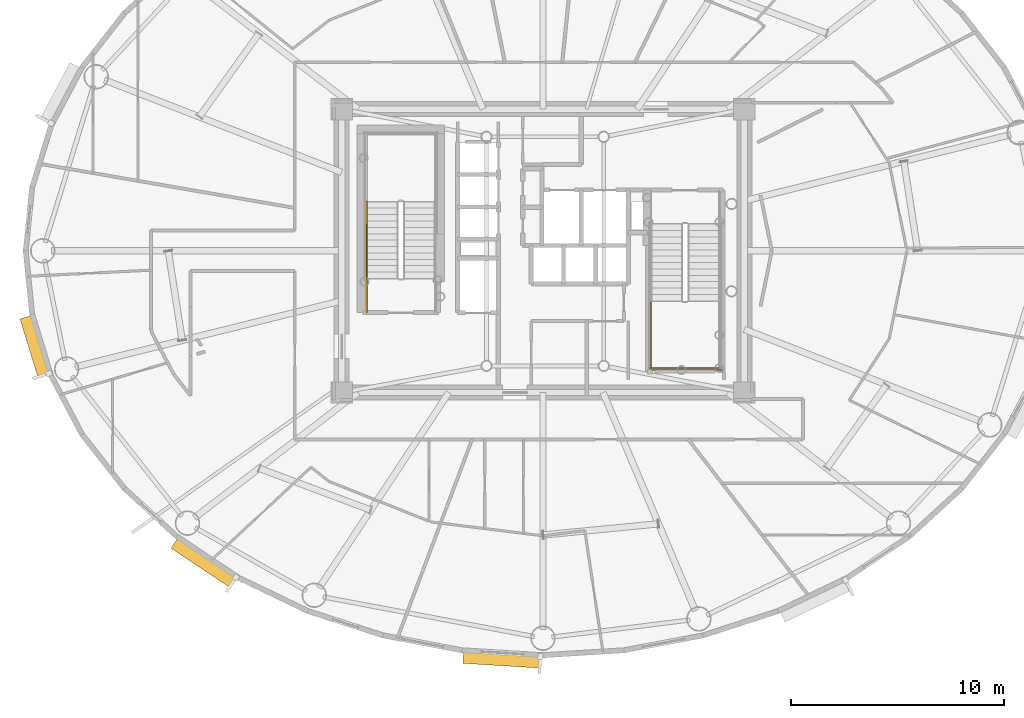
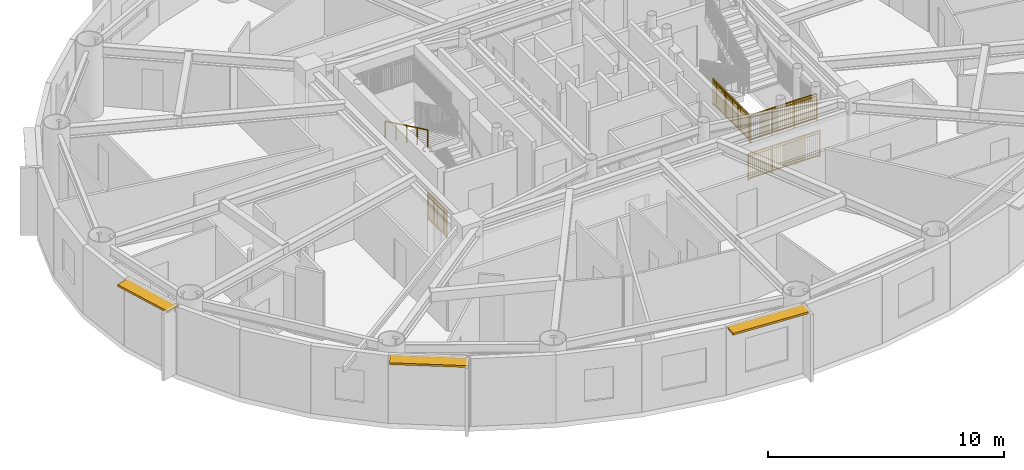
# One storey, part 15 of 21: 5 railings, 3 shading devices.
"""IFC4 building model written with IfcOpenShell, lengths in metres."""

from ifc_helpers import new_model, si_unit, direction, frame, origin, origin_2d, place, context, subcontext, project, spatial, rectangle, extrude, source, transform, mapped, material, layer, layer_set, type_object, element, save


model = new_model("IFC4")

# Units and contexts
model_context = context("Model", 3, precision=1e-05, world=origin(), true_north=direction((0.0, 1.0)))
body_context = subcontext(model_context, "Body", "Model", "MODEL_VIEW")
ifc_project = project(units=[si_unit("LENGTHUNIT", "METRE"), si_unit("AREAUNIT", "SQUARE_METRE"), si_unit("VOLUMEUNIT", "CUBIC_METRE"), si_unit("PLANEANGLEUNIT", "RADIAN"), si_unit("MASSUNIT", "GRAM", prefix="KILO")], contexts=[model_context])

# Site, building, storey
site_placement = place(None, origin())
site = spatial("IfcSite", under=ifc_project, at=site_placement, CompositionType="ELEMENT")
building_placement = place(site_placement, origin())
building = spatial("IfcBuilding", under=site, at=building_placement, Name="Linh Dai School and Residence Tower", CompositionType="ELEMENT")
storey_placement = place(building_placement, frame((0.0, 0.0, 229.050048828125)))
storey = spatial("IfcBuildingStorey", under=building, at=storey_placement, Name="L56", CompositionType="ELEMENT", Elevation=229.050048828125)

# Shading devices
ifc_material_1 = material(Name="Terracotta Ceramic Sunshade", Category="masonry")
ifc_layer = layer(ifc_material_1, 0.10009765625)
ifc_layer_set = layer_set([ifc_layer], Name="Terracotta Ceramic Sunshade")
shading_device_type = type_object("IfcShadingDeviceType", Name="SHD-TC-650", PredefinedType="USERDEFINED", material=ifc_layer_set)
shared_shape_1 = source(origin(), body_context, "Body", "SweptSolid", [
    extrude(rectangle(XDim=2.90380859375, YDim=0.64990234375, at=origin_2d()), origin(), (0.0, 0.0, 1.0), 0.10009765625),
])
shading_device_1_placement = place(storey_placement, frame((12.19384765625, 22.506591796875, 3.3798828125), z_axis=(0.0, 0.0, 1.0), x_axis=(-0.2931574026, 0.956064190994, 0.0)))
element("IfcShadingDevice", 1, at=shading_device_1_placement, inside=storey, type_object=shading_device_type, Name="L56 Terracotta Horizontal Sunshade Band 22", ObjectType="SUNSHADE", PredefinedType="USERDEFINED", context=body_context, shape_type="MappedRepresentation", body=[
    mapped(shared_shape_1, transform((0.0, 0.0, 0.0), x_axis=(1.0, 0.0, 0.0), y_axis=(0.0, 1.0, 0.0), z_axis=(0.0, 0.0, 1.0), scale=1.0)),
])
shared_shape_2 = source(origin(), body_context, "Body", "SweptSolid", [
    extrude(rectangle(XDim=3.3447265625, YDim=0.64990234375, at=origin_2d()), origin(), (0.0, 0.0, 1.0), 0.10009765625),
])
shading_device_2_placement = place(storey_placement, frame((20.11328125, 12.3837890625, 3.3798828125), z_axis=(0.0, 0.0, 1.0), x_axis=(-0.831257719597, 0.555887222025, 0.0)))
element("IfcShadingDevice", 2, at=shading_device_2_placement, inside=storey, type_object=shading_device_type, Name="L56 Terracotta Horizontal Sunshade Band 26", ObjectType="SUNSHADE", PredefinedType="USERDEFINED", context=body_context, shape_type="MappedRepresentation", body=[
    mapped(shared_shape_2, transform((0.0, 0.0, 0.0), x_axis=(1.0, 0.0, 0.0), y_axis=(0.0, 1.0, 0.0), z_axis=(0.0, 0.0, 1.0), scale=1.0)),
])
shared_shape_3 = source(origin(), body_context, "Body", "SweptSolid", [
    extrude(rectangle(XDim=3.656494140625, YDim=0.64990234375, at=origin_2d()), origin(), (0.0, 0.0, 1.0), 0.10009765625),
])
shading_device_3_placement = place(storey_placement, frame((34.08154296875, 7.852783203125, 3.3798828125), z_axis=(0.0, 0.0, 1.0), x_axis=(-0.998106809974, 0.061504437922, 0.0)))
element("IfcShadingDevice", 3, at=shading_device_3_placement, inside=storey, type_object=shading_device_type, Name="L56 Terracotta Horizontal Sunshade Band 30", ObjectType="SUNSHADE", PredefinedType="USERDEFINED", context=body_context, shape_type="MappedRepresentation", body=[
    mapped(shared_shape_3, transform((0.0, 0.0, 0.0), x_axis=(1.0, 0.0, 0.0), y_axis=(0.0, 1.0, 0.0), z_axis=(0.0, 0.0, 1.0), scale=1.0)),
])

# Railings
ifc_material_2 = material(Name="Structural Steel S355JR", Category="steel")
railing_type_1 = type_object("IfcRailingType", Name="RL-ST-GUARD-1400", PredefinedType="GUARDRAIL", material=ifc_material_2)
shared_shape_4 = source(origin(), body_context, "Body", "SweptSolid", [
    extrude(rectangle(XDim=0.048095703125, YDim=0.048095703125, at=origin_2d()), frame((0.0, 0.0, 1.3759765625), z_axis=(0.0, 1.0, 0.0), x_axis=(-1.0, 0.0, 0.0)), (0.0, 0.0, 1.0), 1.599853515625),
    extrude(rectangle(XDim=0.048095703125, YDim=0.048095703125, at=origin_2d()), frame((0.0, 0.0, 0.10009765625), z_axis=(0.0, 1.0, 0.0), x_axis=(-1.0, 0.0, 0.0)), (0.0, 0.0, 1.0), 1.599853515625),
    extrude(rectangle(XDim=0.030029296875, YDim=0.030029296875, at=origin_2d()), frame((0.0, 0.0, 1.239990234375), z_axis=(0.0, 1.0, 0.0), x_axis=(-1.0, 0.0, 0.0)), (0.0, 0.0, 1.0), 1.599853515625),
    extrude(rectangle(XDim=0.02001953125, YDim=0.02001953125, at=origin_2d()), frame((0.0, 0.093994140625, 0.10009765625)), (0.0, 0.0, 1.0), 1.251708984375),
    extrude(rectangle(XDim=0.02001953125, YDim=0.02001953125, at=origin_2d()), frame((0.0, 0.188232421875, 0.10009765625)), (0.0, 0.0, 1.0), 1.251708984375),
    extrude(rectangle(XDim=0.02001953125, YDim=0.02001953125, at=origin_2d()), frame((0.0, 0.2822265625, 0.10009765625)), (0.0, 0.0, 1.0), 1.251708984375),
    extrude(rectangle(XDim=0.02001953125, YDim=0.02001953125, at=origin_2d()), frame((0.0, 0.37646484375, 0.10009765625)), (0.0, 0.0, 1.0), 1.251708984375),
    extrude(rectangle(XDim=0.02001953125, YDim=0.02001953125, at=origin_2d()), frame((0.0, 0.470458984375, 0.10009765625)), (0.0, 0.0, 1.0), 1.251708984375),
    extrude(rectangle(XDim=0.02001953125, YDim=0.02001953125, at=origin_2d()), frame((0.0, 0.564697265625, 0.10009765625)), (0.0, 0.0, 1.0), 1.251708984375),
    extrude(rectangle(XDim=0.02001953125, YDim=0.02001953125, at=origin_2d()), frame((0.0, 0.65869140625, 0.10009765625)), (0.0, 0.0, 1.0), 1.251708984375),
    extrude(rectangle(XDim=0.02001953125, YDim=0.02001953125, at=origin_2d()), frame((0.0, 0.7529296875, 0.10009765625)), (0.0, 0.0, 1.0), 1.251708984375),
    extrude(rectangle(XDim=0.02001953125, YDim=0.02001953125, at=origin_2d()), frame((0.0, 0.846923828125, 0.10009765625)), (0.0, 0.0, 1.0), 1.251708984375),
    extrude(rectangle(XDim=0.02001953125, YDim=0.02001953125, at=origin_2d()), frame((0.0, 0.941162109375, 0.10009765625)), (0.0, 0.0, 1.0), 1.251708984375),
    extrude(rectangle(XDim=0.02001953125, YDim=0.02001953125, at=origin_2d()), frame((0.0, 1.03515625, 0.10009765625)), (0.0, 0.0, 1.0), 1.251708984375),
    extrude(rectangle(XDim=0.02001953125, YDim=0.02001953125, at=origin_2d()), frame((0.0, 1.12939453125, 0.10009765625)), (0.0, 0.0, 1.0), 1.251708984375),
    extrude(rectangle(XDim=0.02001953125, YDim=0.02001953125, at=origin_2d()), frame((0.0, 1.223388671875, 0.10009765625)), (0.0, 0.0, 1.0), 1.251708984375),
    extrude(rectangle(XDim=0.02001953125, YDim=0.02001953125, at=origin_2d()), frame((0.0, 1.317626953125, 0.10009765625)), (0.0, 0.0, 1.0), 1.251708984375),
    extrude(rectangle(XDim=0.02001953125, YDim=0.02001953125, at=origin_2d()), frame((0.0, 1.41162109375, 0.10009765625)), (0.0, 0.0, 1.0), 1.251708984375),
    extrude(rectangle(XDim=0.02001953125, YDim=0.02001953125, at=origin_2d()), frame((0.0, 1.505859375, 0.10009765625)), (0.0, 0.0, 1.0), 1.251708984375),
    extrude(rectangle(XDim=0.0419921875, YDim=0.0419921875, at=origin_2d()), origin(), (0.0, 0.0, 1.0), 1.3759765625),
    extrude(rectangle(XDim=0.0419921875, YDim=0.0419921875, at=origin_2d()), frame((0.0, 0.7998046875, 0.0)), (0.0, 0.0, 1.0), 1.3759765625),
    extrude(rectangle(XDim=0.0419921875, YDim=0.0419921875, at=origin_2d()), frame((0.0, 1.599853515625, 0.0)), (0.0, 0.0, 1.0), 1.3759765625),
])
railing_1_placement = place(storey_placement, frame((27.72998046875, 24.10009765625, 0.0)))
element("IfcRailing", 4, at=railing_1_placement, inside=storey, type_object=railing_type_1, Name="L56 ST1 stair guard 9", PredefinedType="GUARDRAIL", context=body_context, shape_type="MappedRepresentation", body=[
    mapped(shared_shape_4, transform((0.0, 0.0, 0.0), x_axis=(1.0, 0.0, 0.0), y_axis=(0.0, 1.0, 0.0), z_axis=(0.0, 0.0, 1.0), scale=1.0)),
])
ifc_material_3 = material(Name="Brushed Stainless Steel Handrail", Category="steel")
railing_type_2 = type_object("IfcRailingType", Name="RL-ST-HANDRAIL-900", PredefinedType="HANDRAIL", material=ifc_material_3)
shared_shape_5 = source(origin(), body_context, "Body", "SweptSolid", [
    extrude(rectangle(XDim=0.048095703125, YDim=0.048095703125, at=origin_2d()), frame((0.0, 0.0, 0.8759765625), z_axis=(0.0, -0.901262522062, 0.433273431364), x_axis=(1.0, 0.0, 0.0)), (0.0, 0.0, 1.0), 3.994384765625),
    extrude(rectangle(XDim=0.0419921875, YDim=0.0419921875, at=origin_2d()), origin(), (0.0, 0.0, 1.0), 0.8759765625),
    extrude(rectangle(XDim=0.0419921875, YDim=0.0419921875, at=origin_2d()), frame((0.0, -0.89990234375, 0.4326171875)), (0.0, 0.0, 1.0), 0.8759765625),
    extrude(rectangle(XDim=0.0419921875, YDim=0.0419921875, at=origin_2d()), frame((0.0, -1.800048828125, 0.865234375)), (0.0, 0.0, 1.0), 0.8759765625),
    extrude(rectangle(XDim=0.0419921875, YDim=0.0419921875, at=origin_2d()), frame((0.0, -2.7001953125, 1.298095703125)), (0.0, 0.0, 1.0), 0.8759765625),
    extrude(rectangle(XDim=0.0419921875, YDim=0.0419921875, at=origin_2d()), frame((0.0, -3.60009765625, 1.730712890625)), (0.0, 0.0, 1.0), 0.8759765625),
])
railing_2_placement = place(storey_placement, frame((27.72998046875, 29.300048828125, 2.019287109375)))
element("IfcRailing", 5, at=railing_2_placement, inside=storey, type_object=railing_type_2, Name="L56 ST1 stair handrail 2", PredefinedType="HANDRAIL", context=body_context, shape_type="MappedRepresentation", body=[
    mapped(shared_shape_5, transform((0.0, 0.0, 0.0), x_axis=(1.0, 0.0, 0.0), y_axis=(0.0, 1.0, 0.0), z_axis=(0.0, 0.0, 1.0), scale=1.0)),
])
shared_shape_6 = source(origin(), body_context, "Body", "SweptSolid", [
    extrude(rectangle(XDim=0.048095703125, YDim=0.048095703125, at=origin_2d()), frame((0.0, 0.0, 1.3759765625), z_axis=(1.0, 0.0, 0.0), x_axis=(0.0, 1.0, 0.0)), (0.0, 0.0, 1.0), 3.300048828125),
    extrude(rectangle(XDim=0.048095703125, YDim=0.048095703125, at=origin_2d()), frame((0.0, 0.0, 0.10009765625), z_axis=(1.0, 0.0, 0.0), x_axis=(0.0, 1.0, 0.0)), (0.0, 0.0, 1.0), 3.300048828125),
    extrude(rectangle(XDim=0.030029296875, YDim=0.030029296875, at=origin_2d()), frame((0.0, 0.0, 1.239990234375), z_axis=(1.0, 0.0, 0.0), x_axis=(0.0, 1.0, 0.0)), (0.0, 0.0, 1.0), 3.300048828125),
    extrude(rectangle(XDim=0.02001953125, YDim=0.02001953125, at=origin_2d()), frame((0.09716796875, 0.0, 0.10009765625)), (0.0, 0.0, 1.0), 1.251708984375),
    extrude(rectangle(XDim=0.02001953125, YDim=0.02001953125, at=origin_2d()), frame((0.194091796875, 0.0, 0.10009765625)), (0.0, 0.0, 1.0), 1.251708984375),
    extrude(rectangle(XDim=0.02001953125, YDim=0.02001953125, at=origin_2d()), frame((0.291259765625, 0.0, 0.10009765625)), (0.0, 0.0, 1.0), 1.251708984375),
    extrude(rectangle(XDim=0.02001953125, YDim=0.02001953125, at=origin_2d()), frame((0.38818359375, 0.0, 0.10009765625)), (0.0, 0.0, 1.0), 1.251708984375),
    extrude(rectangle(XDim=0.02001953125, YDim=0.02001953125, at=origin_2d()), frame((0.4853515625, 0.0, 0.10009765625)), (0.0, 0.0, 1.0), 1.251708984375),
    extrude(rectangle(XDim=0.02001953125, YDim=0.02001953125, at=origin_2d()), frame((0.582275390625, 0.0, 0.10009765625)), (0.0, 0.0, 1.0), 1.251708984375),
    extrude(rectangle(XDim=0.02001953125, YDim=0.02001953125, at=origin_2d()), frame((0.679443359375, 0.0, 0.10009765625)), (0.0, 0.0, 1.0), 1.251708984375),
    extrude(rectangle(XDim=0.02001953125, YDim=0.02001953125, at=origin_2d()), frame((0.7763671875, 0.0, 0.10009765625)), (0.0, 0.0, 1.0), 1.251708984375),
    extrude(rectangle(XDim=0.02001953125, YDim=0.02001953125, at=origin_2d()), frame((0.87353515625, 0.0, 0.10009765625)), (0.0, 0.0, 1.0), 1.251708984375),
    extrude(rectangle(XDim=0.02001953125, YDim=0.02001953125, at=origin_2d()), frame((0.970703125, 0.0, 0.10009765625)), (0.0, 0.0, 1.0), 1.251708984375),
    extrude(rectangle(XDim=0.02001953125, YDim=0.02001953125, at=origin_2d()), frame((1.164794921875, 0.0, 0.10009765625)), (0.0, 0.0, 1.0), 1.251708984375),
    extrude(rectangle(XDim=0.02001953125, YDim=0.02001953125, at=origin_2d()), frame((1.26171875, 0.0, 0.10009765625)), (0.0, 0.0, 1.0), 1.251708984375),
    extrude(rectangle(XDim=0.02001953125, YDim=0.02001953125, at=origin_2d()), frame((1.35888671875, 0.0, 0.10009765625)), (0.0, 0.0, 1.0), 1.251708984375),
    extrude(rectangle(XDim=0.02001953125, YDim=0.02001953125, at=origin_2d()), frame((1.455810546875, 0.0, 0.10009765625)), (0.0, 0.0, 1.0), 1.251708984375),
    extrude(rectangle(XDim=0.02001953125, YDim=0.02001953125, at=origin_2d()), frame((1.552978515625, 0.0, 0.10009765625)), (0.0, 0.0, 1.0), 1.251708984375),
    extrude(rectangle(XDim=0.02001953125, YDim=0.02001953125, at=origin_2d()), frame((1.64990234375, 0.0, 0.10009765625)), (0.0, 0.0, 1.0), 1.251708984375),
    extrude(rectangle(XDim=0.02001953125, YDim=0.02001953125, at=origin_2d()), frame((1.7470703125, 0.0, 0.10009765625)), (0.0, 0.0, 1.0), 1.251708984375),
    extrude(rectangle(XDim=0.02001953125, YDim=0.02001953125, at=origin_2d()), frame((1.84423828125, 0.0, 0.10009765625)), (0.0, 0.0, 1.0), 1.251708984375),
    extrude(rectangle(XDim=0.02001953125, YDim=0.02001953125, at=origin_2d()), frame((1.941162109375, 0.0, 0.10009765625)), (0.0, 0.0, 1.0), 1.251708984375),
    extrude(rectangle(XDim=0.02001953125, YDim=0.02001953125, at=origin_2d()), frame((2.038330078125, 0.0, 0.10009765625)), (0.0, 0.0, 1.0), 1.251708984375),
    extrude(rectangle(XDim=0.02001953125, YDim=0.02001953125, at=origin_2d()), frame((2.13525390625, 0.0, 0.10009765625)), (0.0, 0.0, 1.0), 1.251708984375),
    extrude(rectangle(XDim=0.02001953125, YDim=0.02001953125, at=origin_2d()), frame((2.329345703125, 0.0, 0.10009765625)), (0.0, 0.0, 1.0), 1.251708984375),
    extrude(rectangle(XDim=0.02001953125, YDim=0.02001953125, at=origin_2d()), frame((2.426513671875, 0.0, 0.10009765625)), (0.0, 0.0, 1.0), 1.251708984375),
    extrude(rectangle(XDim=0.02001953125, YDim=0.02001953125, at=origin_2d()), frame((2.523681640625, 0.0, 0.10009765625)), (0.0, 0.0, 1.0), 1.251708984375),
    extrude(rectangle(XDim=0.02001953125, YDim=0.02001953125, at=origin_2d()), frame((2.62060546875, 0.0, 0.10009765625)), (0.0, 0.0, 1.0), 1.251708984375),
    extrude(rectangle(XDim=0.02001953125, YDim=0.02001953125, at=origin_2d()), frame((2.7177734375, 0.0, 0.10009765625)), (0.0, 0.0, 1.0), 1.251708984375),
    extrude(rectangle(XDim=0.02001953125, YDim=0.02001953125, at=origin_2d()), frame((2.814697265625, 0.0, 0.10009765625)), (0.0, 0.0, 1.0), 1.251708984375),
    extrude(rectangle(XDim=0.02001953125, YDim=0.02001953125, at=origin_2d()), frame((2.911865234375, 0.0, 0.10009765625)), (0.0, 0.0, 1.0), 1.251708984375),
    extrude(rectangle(XDim=0.02001953125, YDim=0.02001953125, at=origin_2d()), frame((3.0087890625, 0.0, 0.10009765625)), (0.0, 0.0, 1.0), 1.251708984375),
    extrude(rectangle(XDim=0.02001953125, YDim=0.02001953125, at=origin_2d()), frame((3.10595703125, 0.0, 0.10009765625)), (0.0, 0.0, 1.0), 1.251708984375),
    extrude(rectangle(XDim=0.02001953125, YDim=0.02001953125, at=origin_2d()), frame((3.202880859375, 0.0, 0.10009765625)), (0.0, 0.0, 1.0), 1.251708984375),
    extrude(rectangle(XDim=0.0419921875, YDim=0.0419921875, at=origin_2d()), origin(), (0.0, 0.0, 1.0), 1.3759765625),
    extrude(rectangle(XDim=0.0419921875, YDim=0.0419921875, at=origin_2d()), frame((1.10009765625, 0.0, 0.0)), (0.0, 0.0, 1.0), 1.3759765625),
    extrude(rectangle(XDim=0.0419921875, YDim=0.0419921875, at=origin_2d()), frame((2.199951171875, 0.0, 0.0)), (0.0, 0.0, 1.0), 1.3759765625),
    extrude(rectangle(XDim=0.0419921875, YDim=0.0419921875, at=origin_2d()), frame((3.300048828125, 0.0, 0.0)), (0.0, 0.0, 1.0), 1.3759765625),
])
railing_3_placement = place(storey_placement, frame((41.02001953125, 21.5, 1.875)))
element("IfcRailing", 6, at=railing_3_placement, inside=storey, type_object=railing_type_1, Name="L56 ST2 stair guard 5", PredefinedType="GUARDRAIL", context=body_context, shape_type="MappedRepresentation", body=[
    mapped(shared_shape_6, transform((0.0, 0.0, 0.0), x_axis=(1.0, 0.0, 0.0), y_axis=(0.0, 1.0, 0.0), z_axis=(0.0, 0.0, 1.0), scale=1.0)),
])
shared_shape_7 = source(origin(), body_context, "Body", "SweptSolid", [
    extrude(rectangle(XDim=0.048095703125, YDim=0.048095703125, at=origin_2d()), frame((0.0, 0.0, 1.3759765625), z_axis=(1.0, 0.0, 0.0), x_axis=(0.0, 1.0, 0.0)), (0.0, 0.0, 1.0), 3.5),
    extrude(rectangle(XDim=0.048095703125, YDim=0.048095703125, at=origin_2d()), frame((0.0, 0.0, 0.10009765625), z_axis=(1.0, 0.0, 0.0), x_axis=(0.0, 1.0, 0.0)), (0.0, 0.0, 1.0), 3.5),
    extrude(rectangle(XDim=0.030029296875, YDim=0.030029296875, at=origin_2d()), frame((0.0, 0.0, 1.239990234375), z_axis=(1.0, 0.0, 0.0), x_axis=(0.0, 1.0, 0.0)), (0.0, 0.0, 1.0), 3.5),
    extrude(rectangle(XDim=0.02001953125, YDim=0.02001953125, at=origin_2d()), frame((0.09716796875, 0.0, 0.10009765625)), (0.0, 0.0, 1.0), 1.251708984375),
    extrude(rectangle(XDim=0.02001953125, YDim=0.02001953125, at=origin_2d()), frame((0.1943359375, 0.0, 0.10009765625)), (0.0, 0.0, 1.0), 1.251708984375),
    extrude(rectangle(XDim=0.02001953125, YDim=0.02001953125, at=origin_2d()), frame((0.291748046875, 0.0, 0.10009765625)), (0.0, 0.0, 1.0), 1.251708984375),
    extrude(rectangle(XDim=0.02001953125, YDim=0.02001953125, at=origin_2d()), frame((0.388916015625, 0.0, 0.10009765625)), (0.0, 0.0, 1.0), 1.251708984375),
    extrude(rectangle(XDim=0.02001953125, YDim=0.02001953125, at=origin_2d()), frame((0.486083984375, 0.0, 0.10009765625)), (0.0, 0.0, 1.0), 1.251708984375),
    extrude(rectangle(XDim=0.02001953125, YDim=0.02001953125, at=origin_2d()), frame((0.583251953125, 0.0, 0.10009765625)), (0.0, 0.0, 1.0), 1.251708984375),
    extrude(rectangle(XDim=0.02001953125, YDim=0.02001953125, at=origin_2d()), frame((0.6806640625, 0.0, 0.10009765625)), (0.0, 0.0, 1.0), 1.251708984375),
    extrude(rectangle(XDim=0.02001953125, YDim=0.02001953125, at=origin_2d()), frame((0.77783203125, 0.0, 0.10009765625)), (0.0, 0.0, 1.0), 1.251708984375),
    extrude(rectangle(XDim=0.02001953125, YDim=0.02001953125, at=origin_2d()), frame((0.875, 0.0, 0.10009765625)), (0.0, 0.0, 1.0), 1.251708984375),
    extrude(rectangle(XDim=0.02001953125, YDim=0.02001953125, at=origin_2d()), frame((0.97216796875, 0.0, 0.10009765625)), (0.0, 0.0, 1.0), 1.251708984375),
    extrude(rectangle(XDim=0.02001953125, YDim=0.02001953125, at=origin_2d()), frame((1.0693359375, 0.0, 0.10009765625)), (0.0, 0.0, 1.0), 1.251708984375),
    extrude(rectangle(XDim=0.02001953125, YDim=0.02001953125, at=origin_2d()), frame((1.263916015625, 0.0, 0.10009765625)), (0.0, 0.0, 1.0), 1.251708984375),
    extrude(rectangle(XDim=0.02001953125, YDim=0.02001953125, at=origin_2d()), frame((1.361083984375, 0.0, 0.10009765625)), (0.0, 0.0, 1.0), 1.251708984375),
    extrude(rectangle(XDim=0.02001953125, YDim=0.02001953125, at=origin_2d()), frame((1.458251953125, 0.0, 0.10009765625)), (0.0, 0.0, 1.0), 1.251708984375),
    extrude(rectangle(XDim=0.02001953125, YDim=0.02001953125, at=origin_2d()), frame((1.5556640625, 0.0, 0.10009765625)), (0.0, 0.0, 1.0), 1.251708984375),
    extrude(rectangle(XDim=0.02001953125, YDim=0.02001953125, at=origin_2d()), frame((1.65283203125, 0.0, 0.10009765625)), (0.0, 0.0, 1.0), 1.251708984375),
    extrude(rectangle(XDim=0.02001953125, YDim=0.02001953125, at=origin_2d()), frame((1.75, 0.0, 0.10009765625)), (0.0, 0.0, 1.0), 1.251708984375),
    extrude(rectangle(XDim=0.02001953125, YDim=0.02001953125, at=origin_2d()), frame((1.84716796875, 0.0, 0.10009765625)), (0.0, 0.0, 1.0), 1.251708984375),
    extrude(rectangle(XDim=0.02001953125, YDim=0.02001953125, at=origin_2d()), frame((1.9443359375, 0.0, 0.10009765625)), (0.0, 0.0, 1.0), 1.251708984375),
    extrude(rectangle(XDim=0.02001953125, YDim=0.02001953125, at=origin_2d()), frame((2.041748046875, 0.0, 0.10009765625)), (0.0, 0.0, 1.0), 1.251708984375),
    extrude(rectangle(XDim=0.02001953125, YDim=0.02001953125, at=origin_2d()), frame((2.138916015625, 0.0, 0.10009765625)), (0.0, 0.0, 1.0), 1.251708984375),
    extrude(rectangle(XDim=0.02001953125, YDim=0.02001953125, at=origin_2d()), frame((2.236083984375, 0.0, 0.10009765625)), (0.0, 0.0, 1.0), 1.251708984375),
    extrude(rectangle(XDim=0.02001953125, YDim=0.02001953125, at=origin_2d()), frame((2.4306640625, 0.0, 0.10009765625)), (0.0, 0.0, 1.0), 1.251708984375),
    extrude(rectangle(XDim=0.02001953125, YDim=0.02001953125, at=origin_2d()), frame((2.52783203125, 0.0, 0.10009765625)), (0.0, 0.0, 1.0), 1.251708984375),
    extrude(rectangle(XDim=0.02001953125, YDim=0.02001953125, at=origin_2d()), frame((2.625, 0.0, 0.10009765625)), (0.0, 0.0, 1.0), 1.251708984375),
    extrude(rectangle(XDim=0.02001953125, YDim=0.02001953125, at=origin_2d()), frame((2.72216796875, 0.0, 0.10009765625)), (0.0, 0.0, 1.0), 1.251708984375),
    extrude(rectangle(XDim=0.02001953125, YDim=0.02001953125, at=origin_2d()), frame((2.8193359375, 0.0, 0.10009765625)), (0.0, 0.0, 1.0), 1.251708984375),
    extrude(rectangle(XDim=0.02001953125, YDim=0.02001953125, at=origin_2d()), frame((2.916748046875, 0.0, 0.10009765625)), (0.0, 0.0, 1.0), 1.251708984375),
    extrude(rectangle(XDim=0.02001953125, YDim=0.02001953125, at=origin_2d()), frame((3.013916015625, 0.0, 0.10009765625)), (0.0, 0.0, 1.0), 1.251708984375),
    extrude(rectangle(XDim=0.02001953125, YDim=0.02001953125, at=origin_2d()), frame((3.111083984375, 0.0, 0.10009765625)), (0.0, 0.0, 1.0), 1.251708984375),
    extrude(rectangle(XDim=0.02001953125, YDim=0.02001953125, at=origin_2d()), frame((3.208251953125, 0.0, 0.10009765625)), (0.0, 0.0, 1.0), 1.251708984375),
    extrude(rectangle(XDim=0.02001953125, YDim=0.02001953125, at=origin_2d()), frame((3.3056640625, 0.0, 0.10009765625)), (0.0, 0.0, 1.0), 1.251708984375),
    extrude(rectangle(XDim=0.02001953125, YDim=0.02001953125, at=origin_2d()), frame((3.40283203125, 0.0, 0.10009765625)), (0.0, 0.0, 1.0), 1.251708984375),
    extrude(rectangle(XDim=0.0419921875, YDim=0.0419921875, at=origin_2d()), origin(), (0.0, 0.0, 1.0), 1.3759765625),
    extrude(rectangle(XDim=0.0419921875, YDim=0.0419921875, at=origin_2d()), frame((1.166748046875, 0.0, 0.0)), (0.0, 0.0, 1.0), 1.3759765625),
    extrude(rectangle(XDim=0.0419921875, YDim=0.0419921875, at=origin_2d()), frame((2.333251953125, 0.0, 0.0)), (0.0, 0.0, 1.0), 1.3759765625),
    extrude(rectangle(XDim=0.0419921875, YDim=0.0419921875, at=origin_2d()), frame((3.5, 0.0, 0.0)), (0.0, 0.0, 1.0), 1.3759765625),
])
railing_4_placement = place(storey_placement, frame((40.919921875, 21.39990234375, 0.0)))
element("IfcRailing", 7, at=railing_4_placement, inside=storey, type_object=railing_type_1, Name="L56 ST2 stair guard 12", PredefinedType="GUARDRAIL", context=body_context, shape_type="MappedRepresentation", body=[
    mapped(shared_shape_7, transform((0.0, 0.0, 0.0), x_axis=(1.0, 0.0, 0.0), y_axis=(0.0, 1.0, 0.0), z_axis=(0.0, 0.0, 1.0), scale=1.0)),
])
shared_shape_8 = source(origin(), body_context, "Body", "SweptSolid", [
    extrude(rectangle(XDim=0.048095703125, YDim=0.048095703125, at=origin_2d()), frame((0.0, 0.0, 1.3759765625), z_axis=(0.0, -1.0, 0.0), x_axis=(1.0, 0.0, 0.0)), (0.0, 0.0, 1.0), 3.199951171875),
    extrude(rectangle(XDim=0.048095703125, YDim=0.048095703125, at=origin_2d()), frame((0.0, 0.0, 0.10009765625), z_axis=(0.0, -1.0, 0.0), x_axis=(1.0, 0.0, 0.0)), (0.0, 0.0, 1.0), 3.199951171875),
    extrude(rectangle(XDim=0.030029296875, YDim=0.030029296875, at=origin_2d()), frame((0.0, 0.0, 1.239990234375), z_axis=(0.0, -1.0, 0.0), x_axis=(1.0, 0.0, 0.0)), (0.0, 0.0, 1.0), 3.199951171875),
    extrude(rectangle(XDim=0.02001953125, YDim=0.02001953125, at=origin_2d()), frame((0.0, -0.096923828125, 0.10009765625)), (0.0, 0.0, 1.0), 1.251708984375),
    extrude(rectangle(XDim=0.02001953125, YDim=0.02001953125, at=origin_2d()), frame((0.0, -0.19384765625, 0.10009765625)), (0.0, 0.0, 1.0), 1.251708984375),
    extrude(rectangle(XDim=0.02001953125, YDim=0.02001953125, at=origin_2d()), frame((0.0, -0.291015625, 0.10009765625)), (0.0, 0.0, 1.0), 1.251708984375),
    extrude(rectangle(XDim=0.02001953125, YDim=0.02001953125, at=origin_2d()), frame((0.0, -0.387939453125, 0.10009765625)), (0.0, 0.0, 1.0), 1.251708984375),
    extrude(rectangle(XDim=0.02001953125, YDim=0.02001953125, at=origin_2d()), frame((0.0, -0.48486328125, 0.10009765625)), (0.0, 0.0, 1.0), 1.251708984375),
    extrude(rectangle(XDim=0.02001953125, YDim=0.02001953125, at=origin_2d()), frame((0.0, -0.581787109375, 0.10009765625)), (0.0, 0.0, 1.0), 1.251708984375),
    extrude(rectangle(XDim=0.02001953125, YDim=0.02001953125, at=origin_2d()), frame((0.0, -0.6787109375, 0.10009765625)), (0.0, 0.0, 1.0), 1.251708984375),
    extrude(rectangle(XDim=0.02001953125, YDim=0.02001953125, at=origin_2d()), frame((0.0, -0.775634765625, 0.10009765625)), (0.0, 0.0, 1.0), 1.251708984375),
    extrude(rectangle(XDim=0.02001953125, YDim=0.02001953125, at=origin_2d()), frame((0.0, -0.872802734375, 0.10009765625)), (0.0, 0.0, 1.0), 1.251708984375),
    extrude(rectangle(XDim=0.02001953125, YDim=0.02001953125, at=origin_2d()), frame((0.0, -0.9697265625, 0.10009765625)), (0.0, 0.0, 1.0), 1.251708984375),
    extrude(rectangle(XDim=0.02001953125, YDim=0.02001953125, at=origin_2d()), frame((0.0, -1.16357421875, 0.10009765625)), (0.0, 0.0, 1.0), 1.251708984375),
    extrude(rectangle(XDim=0.02001953125, YDim=0.02001953125, at=origin_2d()), frame((0.0, -1.260498046875, 0.10009765625)), (0.0, 0.0, 1.0), 1.251708984375),
    extrude(rectangle(XDim=0.02001953125, YDim=0.02001953125, at=origin_2d()), frame((0.0, -1.357666015625, 0.10009765625)), (0.0, 0.0, 1.0), 1.251708984375),
    extrude(rectangle(XDim=0.02001953125, YDim=0.02001953125, at=origin_2d()), frame((0.0, -1.45458984375, 0.10009765625)), (0.0, 0.0, 1.0), 1.251708984375),
    extrude(rectangle(XDim=0.02001953125, YDim=0.02001953125, at=origin_2d()), frame((0.0, -1.551513671875, 0.10009765625)), (0.0, 0.0, 1.0), 1.251708984375),
    extrude(rectangle(XDim=0.02001953125, YDim=0.02001953125, at=origin_2d()), frame((0.0, -1.6484375, 0.10009765625)), (0.0, 0.0, 1.0), 1.251708984375),
    extrude(rectangle(XDim=0.02001953125, YDim=0.02001953125, at=origin_2d()), frame((0.0, -1.745361328125, 0.10009765625)), (0.0, 0.0, 1.0), 1.251708984375),
    extrude(rectangle(XDim=0.02001953125, YDim=0.02001953125, at=origin_2d()), frame((0.0, -1.84228515625, 0.10009765625)), (0.0, 0.0, 1.0), 1.251708984375),
    extrude(rectangle(XDim=0.02001953125, YDim=0.02001953125, at=origin_2d()), frame((0.0, -1.939453125, 0.10009765625)), (0.0, 0.0, 1.0), 1.251708984375),
    extrude(rectangle(XDim=0.02001953125, YDim=0.02001953125, at=origin_2d()), frame((0.0, -2.036376953125, 0.10009765625)), (0.0, 0.0, 1.0), 1.251708984375),
    extrude(rectangle(XDim=0.02001953125, YDim=0.02001953125, at=origin_2d()), frame((0.0, -2.230224609375, 0.10009765625)), (0.0, 0.0, 1.0), 1.251708984375),
    extrude(rectangle(XDim=0.02001953125, YDim=0.02001953125, at=origin_2d()), frame((0.0, -2.3271484375, 0.10009765625)), (0.0, 0.0, 1.0), 1.251708984375),
    extrude(rectangle(XDim=0.02001953125, YDim=0.02001953125, at=origin_2d()), frame((0.0, -2.42431640625, 0.10009765625)), (0.0, 0.0, 1.0), 1.251708984375),
    extrude(rectangle(XDim=0.02001953125, YDim=0.02001953125, at=origin_2d()), frame((0.0, -2.521240234375, 0.10009765625)), (0.0, 0.0, 1.0), 1.251708984375),
    extrude(rectangle(XDim=0.02001953125, YDim=0.02001953125, at=origin_2d()), frame((0.0, -2.6181640625, 0.10009765625)), (0.0, 0.0, 1.0), 1.251708984375),
    extrude(rectangle(XDim=0.02001953125, YDim=0.02001953125, at=origin_2d()), frame((0.0, -2.715087890625, 0.10009765625)), (0.0, 0.0, 1.0), 1.251708984375),
    extrude(rectangle(XDim=0.02001953125, YDim=0.02001953125, at=origin_2d()), frame((0.0, -2.81201171875, 0.10009765625)), (0.0, 0.0, 1.0), 1.251708984375),
    extrude(rectangle(XDim=0.02001953125, YDim=0.02001953125, at=origin_2d()), frame((0.0, -2.908935546875, 0.10009765625)), (0.0, 0.0, 1.0), 1.251708984375),
    extrude(rectangle(XDim=0.02001953125, YDim=0.02001953125, at=origin_2d()), frame((0.0, -3.006103515625, 0.10009765625)), (0.0, 0.0, 1.0), 1.251708984375),
    extrude(rectangle(XDim=0.02001953125, YDim=0.02001953125, at=origin_2d()), frame((0.0, -3.10302734375, 0.10009765625)), (0.0, 0.0, 1.0), 1.251708984375),
    extrude(rectangle(XDim=0.0419921875, YDim=0.0419921875, at=origin_2d()), origin(), (0.0, 0.0, 1.0), 1.3759765625),
    extrude(rectangle(XDim=0.0419921875, YDim=0.0419921875, at=origin_2d()), frame((0.0, -1.066650390625, 0.0)), (0.0, 0.0, 1.0), 1.3759765625),
    extrude(rectangle(XDim=0.0419921875, YDim=0.0419921875, at=origin_2d()), frame((0.0, -2.13330078125, 0.0)), (0.0, 0.0, 1.0), 1.3759765625),
    extrude(rectangle(XDim=0.0419921875, YDim=0.0419921875, at=origin_2d()), frame((0.0, -3.199951171875, 0.0)), (0.0, 0.0, 1.0), 1.3759765625),
])
railing_5_placement = place(storey_placement, frame((41.070068359375, 24.64990234375, 1.875)))
element("IfcRailing", 8, at=railing_5_placement, inside=storey, type_object=railing_type_1, Name="L56 ST2 stair guard 3", PredefinedType="GUARDRAIL", context=body_context, shape_type="MappedRepresentation", body=[
    mapped(shared_shape_8, transform((0.0, 0.0, 0.0), x_axis=(1.0, 0.0, 0.0), y_axis=(0.0, 1.0, 0.0), z_axis=(0.0, 0.0, 1.0), scale=1.0)),
])

save(model, "model.ifc")
